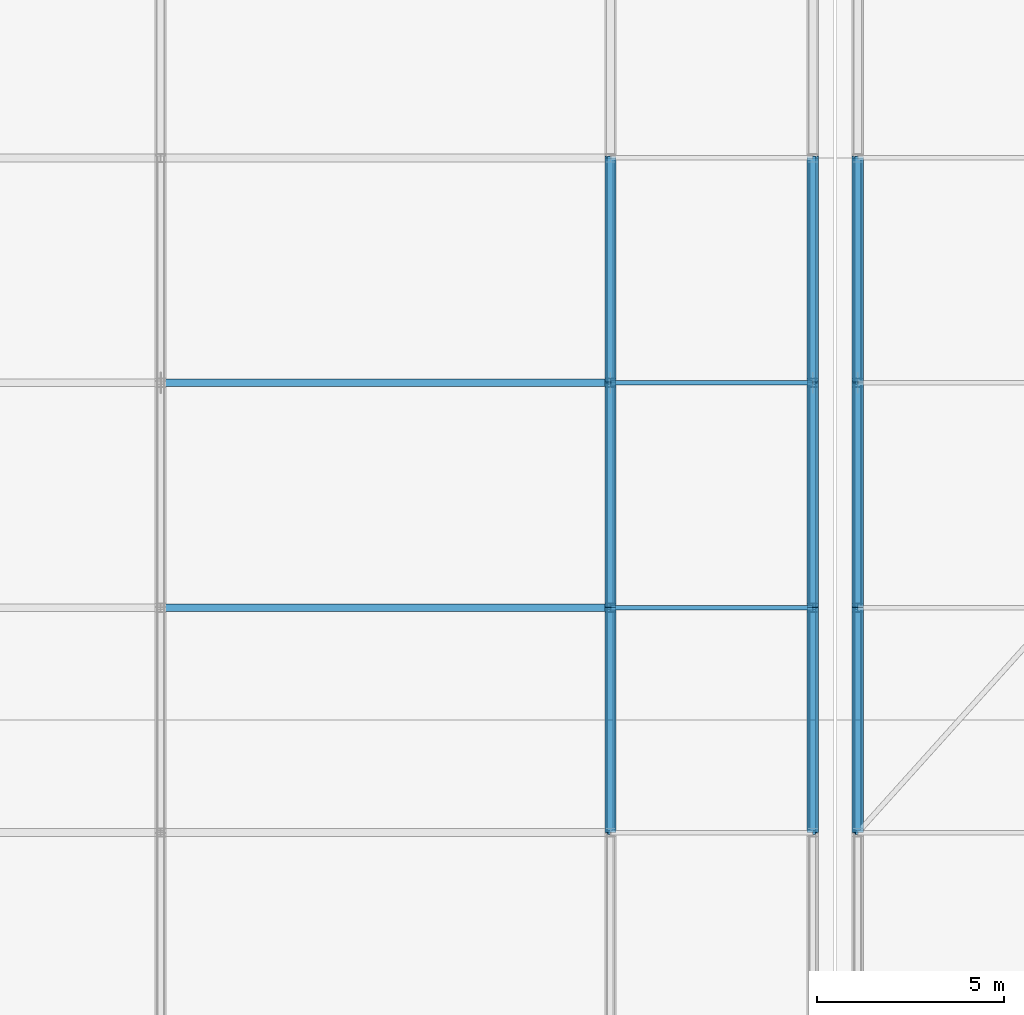
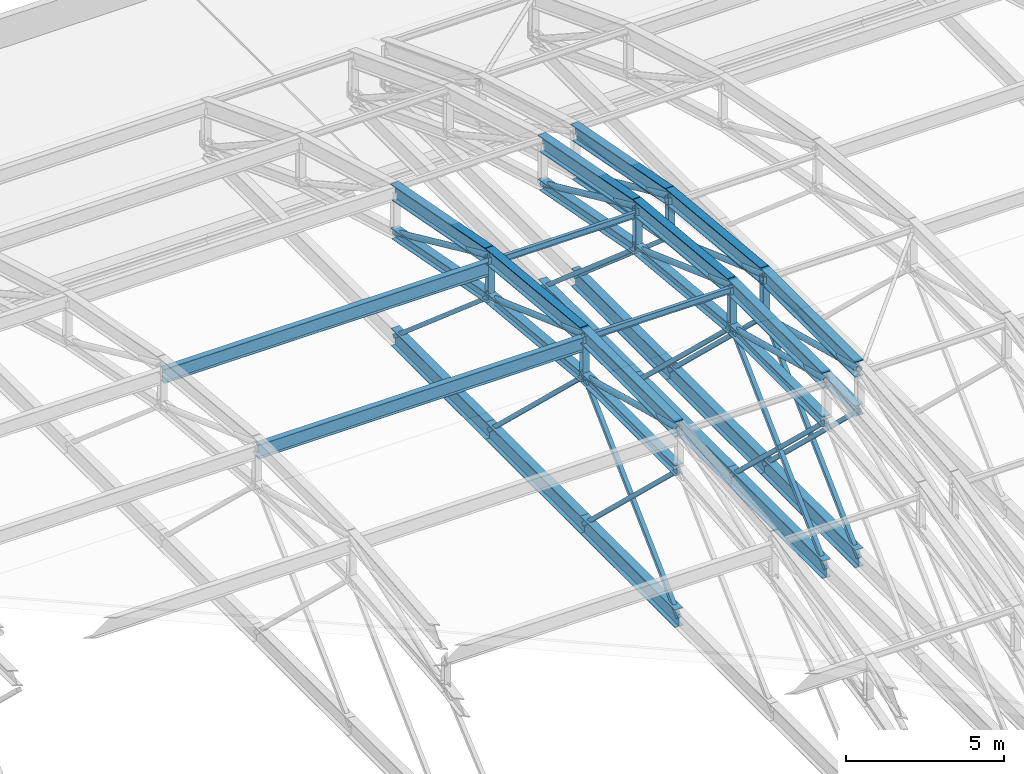
# One storey, part 89 of 204: 58 members.
"""IFC4 building model written with IfcOpenShell, lengths in metres."""

from ifc_helpers import new_model, si_unit, direction, frame, origin, origin_2d, place, context, subcontext, project, spatial, hollow_rectangle, hollow_circle, i_section, extrude, material, material_profile, profile_set, type_object, element, save


model = new_model("IFC4")

# Units and contexts
model_context = context("Model", 3, precision=1e-05, world=origin(), true_north=direction((0.0, 1.0)))
body_context = subcontext(model_context, "Body", "Model", "MODEL_VIEW")
ifc_project = project(units=[si_unit("LENGTHUNIT", "METRE"), si_unit("AREAUNIT", "SQUARE_METRE"), si_unit("VOLUMEUNIT", "CUBIC_METRE"), si_unit("PLANEANGLEUNIT", "RADIAN"), si_unit("MASSUNIT", "GRAM", prefix="KILO")], contexts=[model_context])

# Site, building, storey
site_placement = place(None, origin())
site = spatial("IfcSite", under=ifc_project, at=site_placement, CompositionType="ELEMENT")
building_placement = place(site_placement, origin())
building = spatial("IfcBuilding", under=site, at=building_placement, Name="Zilviju Railside Exhibition Hall", CompositionType="ELEMENT")
storey_placement = place(building_placement, frame((0.0, 0.0, 21.0)))
storey = spatial("IfcBuildingStorey", under=building, at=storey_placement, Name="RF", CompositionType="ELEMENT", Elevation=21.0)

# Members
ifc_material = material(Name="Steel S355J2", Category="steel")
ifc_material_profile_1 = material_profile(ifc_material, hollow_circle(Radius=0.109619140625, WallThickness=0.010009765625, at=origin_2d()), Name="CHS 219.1x10.0")
ifc_profile_set_1 = profile_set([ifc_material_profile_1], Name="Steel S355J2")
member_type_1 = type_object("IfcMemberType", Name="TR-BR-CHS219", PredefinedType="BRACE", material=ifc_profile_set_1)
member_1_placement = place(storey_placement, frame((120.0, 108.0, 3.728515625), z_axis=(0.0, 0.966231024199, -0.25767733287), x_axis=(-1.0, 0.0, 0.0)))
element("IfcMember", 1, at=member_1_placement, inside=storey, type_object=member_type_1, Name="V2 Parabolic Arch Web Diagonal X=120.0 P5", PredefinedType="BRACE", context=body_context, shape_type="SweptSolid", body=[
    extrude(hollow_circle(Radius=0.109619140625, WallThickness=0.010009765625, at=origin_2d()), origin(), (0.0, 0.0, 1.0), 6.209716796875),
])
member_2_placement = place(storey_placement, frame((120.0, 114.0, 3.728515625), z_axis=(0.0, 0.940243888255, -0.340501733621), x_axis=(-1.0, 0.0, 0.0)))
element("IfcMember", 2, at=member_2_placement, inside=storey, type_object=member_type_1, Name="V2 Parabolic Arch Web Diagonal X=120.0 P6", PredefinedType="BRACE", context=body_context, shape_type="SweptSolid", body=[
    extrude(hollow_circle(Radius=0.109619140625, WallThickness=0.010009765625, at=origin_2d()), origin(), (0.0, 0.0, 1.0), 6.38134765625),
])
member_3_placement = place(storey_placement, frame((120.0, 120.0, 3.155517578125), z_axis=(0.0, 0.909316915895, -0.416104249518), x_axis=(-1.0, 0.0, 0.0)))
element("IfcMember", 3, at=member_3_placement, inside=storey, type_object=member_type_1, Name="V2 Parabolic Arch Web Diagonal X=120.0 P7", PredefinedType="BRACE", context=body_context, shape_type="SweptSolid", body=[
    extrude(hollow_circle(Radius=0.109619140625, WallThickness=0.010009765625, at=origin_2d()), origin(), (0.0, 0.0, 1.0), 6.598388671875),
])
member_4_placement = place(storey_placement, frame((125.39990234375, 108.0, 3.728515625), z_axis=(0.0, 0.966231024199, -0.25767733287), x_axis=(-1.0, 0.0, 0.0)))
element("IfcMember", 4, at=member_4_placement, inside=storey, type_object=member_type_1, Name="V2 Parabolic Arch Web Diagonal X=125.4 P5", PredefinedType="BRACE", context=body_context, shape_type="SweptSolid", body=[
    extrude(hollow_circle(Radius=0.109619140625, WallThickness=0.010009765625, at=origin_2d()), origin(), (0.0, 0.0, 1.0), 6.209716796875),
])
member_5_placement = place(storey_placement, frame((125.39990234375, 114.0, 3.728515625), z_axis=(0.0, 0.940243888255, -0.340501733621), x_axis=(-1.0, 0.0, 0.0)))
element("IfcMember", 5, at=member_5_placement, inside=storey, type_object=member_type_1, Name="V2 Parabolic Arch Web Diagonal X=125.4 P6", PredefinedType="BRACE", context=body_context, shape_type="SweptSolid", body=[
    extrude(hollow_circle(Radius=0.109619140625, WallThickness=0.010009765625, at=origin_2d()), origin(), (0.0, 0.0, 1.0), 6.38134765625),
])
member_6_placement = place(storey_placement, frame((125.39990234375, 120.0, 3.155517578125), z_axis=(0.0, 0.909316915895, -0.416104249518), x_axis=(-1.0, 0.0, 0.0)))
element("IfcMember", 6, at=member_6_placement, inside=storey, type_object=member_type_1, Name="V2 Parabolic Arch Web Diagonal X=125.4 P7", PredefinedType="BRACE", context=body_context, shape_type="SweptSolid", body=[
    extrude(hollow_circle(Radius=0.109619140625, WallThickness=0.010009765625, at=origin_2d()), origin(), (0.0, 0.0, 1.0), 6.598388671875),
])
member_7_placement = place(storey_placement, frame((126.60009765625, 108.0, 3.728515625), z_axis=(0.0, 0.966231024199, -0.25767733287), x_axis=(-1.0, 0.0, 0.0)))
element("IfcMember", 7, at=member_7_placement, inside=storey, type_object=member_type_1, Name="V2 Parabolic Arch Web Diagonal X=126.6 P5", PredefinedType="BRACE", context=body_context, shape_type="SweptSolid", body=[
    extrude(hollow_circle(Radius=0.109619140625, WallThickness=0.010009765625, at=origin_2d()), origin(), (0.0, 0.0, 1.0), 6.209716796875),
])
member_8_placement = place(storey_placement, frame((126.60009765625, 114.0, 3.728515625), z_axis=(0.0, 0.940243888255, -0.340501733621), x_axis=(-1.0, 0.0, 0.0)))
element("IfcMember", 8, at=member_8_placement, inside=storey, type_object=member_type_1, Name="V2 Parabolic Arch Web Diagonal X=126.6 P6", PredefinedType="BRACE", context=body_context, shape_type="SweptSolid", body=[
    extrude(hollow_circle(Radius=0.109619140625, WallThickness=0.010009765625, at=origin_2d()), origin(), (0.0, 0.0, 1.0), 6.38134765625),
])
member_9_placement = place(storey_placement, frame((126.60009765625, 120.0, 3.155517578125), z_axis=(0.0, 0.909316915895, -0.416104249518), x_axis=(-1.0, 0.0, 0.0)))
element("IfcMember", 9, at=member_9_placement, inside=storey, type_object=member_type_1, Name="V2 Parabolic Arch Web Diagonal X=126.6 P7", PredefinedType="BRACE", context=body_context, shape_type="SweptSolid", body=[
    extrude(hollow_circle(Radius=0.109619140625, WallThickness=0.010009765625, at=origin_2d()), origin(), (0.0, 0.0, 1.0), 6.598388671875),
])
ifc_material_profile_2 = material_profile(ifc_material, i_section(OverallWidth=0.300048828125, OverallDepth=0.39990234375, WebThickness=0.013427734375, FlangeThickness=0.02392578125, at=origin_2d()), Name="HEB 400")
ifc_profile_set_2 = profile_set([ifc_material_profile_2], Name="Steel S355J2")
member_type_2 = type_object("IfcMemberType", Name="TR-CH-HEB400", PredefinedType="CHORD", material=ifc_profile_set_2)
member_10_placement = place(storey_placement, frame((120.0, 108.0, 2.12841796875), z_axis=(0.0, 1.0, 0.0), x_axis=(-1.0, 0.0, 0.0)))
element("IfcMember", 10, at=member_10_placement, inside=storey, type_object=member_type_2, Name="V2 Parabolic Arch Bottom Chord X=120.0 P5", PredefinedType="CHORD", context=body_context, shape_type="SweptSolid", body=[
    extrude(i_section(OverallWidth=0.300048828125, OverallDepth=0.39990234375, WebThickness=0.013427734375, FlangeThickness=0.02392578125, at=origin_2d()), origin(), (0.0, 0.0, 1.0), 6.0),
])
member_11_placement = place(storey_placement, frame((120.0, 114.0, 2.12841796875), z_axis=(0.0, 0.995474695123, -0.095027003367), x_axis=(-1.0, 0.0, 0.0)))
element("IfcMember", 11, at=member_11_placement, inside=storey, type_object=member_type_2, Name="V2 Parabolic Arch Bottom Chord X=120.0 P6", PredefinedType="CHORD", context=body_context, shape_type="SweptSolid", body=[
    extrude(i_section(OverallWidth=0.300048828125, OverallDepth=0.39990234375, WebThickness=0.013427734375, FlangeThickness=0.02392578125, at=origin_2d()), origin(), (0.0, 0.0, 1.0), 6.02734375),
])
member_12_placement = place(storey_placement, frame((120.0, 120.0, 1.5556640625), z_axis=(0.0, 0.98225135267, -0.187569400964), x_axis=(-1.0, 0.0, 0.0)))
element("IfcMember", 12, at=member_12_placement, inside=storey, type_object=member_type_2, Name="V2 Parabolic Arch Bottom Chord X=120.0 P7", PredefinedType="CHORD", context=body_context, shape_type="SweptSolid", body=[
    extrude(i_section(OverallWidth=0.300048828125, OverallDepth=0.39990234375, WebThickness=0.013427734375, FlangeThickness=0.02392578125, at=origin_2d()), origin(), (0.0, 0.0, 1.0), 6.1083984375),
])
member_13_placement = place(storey_placement, frame((125.39990234375, 108.0, 2.12841796875), z_axis=(0.0, 1.0, 0.0), x_axis=(-1.0, 0.0, 0.0)))
element("IfcMember", 13, at=member_13_placement, inside=storey, type_object=member_type_2, Name="V2 Parabolic Arch Bottom Chord X=125.4 P5", PredefinedType="CHORD", context=body_context, shape_type="SweptSolid", body=[
    extrude(i_section(OverallWidth=0.300048828125, OverallDepth=0.39990234375, WebThickness=0.013427734375, FlangeThickness=0.02392578125, at=origin_2d()), origin(), (0.0, 0.0, 1.0), 6.0),
])
member_14_placement = place(storey_placement, frame((125.39990234375, 114.0, 2.12841796875), z_axis=(0.0, 0.995474695123, -0.095027003367), x_axis=(-1.0, 0.0, 0.0)))
element("IfcMember", 14, at=member_14_placement, inside=storey, type_object=member_type_2, Name="V2 Parabolic Arch Bottom Chord X=125.4 P6", PredefinedType="CHORD", context=body_context, shape_type="SweptSolid", body=[
    extrude(i_section(OverallWidth=0.300048828125, OverallDepth=0.39990234375, WebThickness=0.013427734375, FlangeThickness=0.02392578125, at=origin_2d()), origin(), (0.0, 0.0, 1.0), 6.02734375),
])
member_15_placement = place(storey_placement, frame((125.39990234375, 120.0, 1.5556640625), z_axis=(0.0, 0.98225135267, -0.187569400964), x_axis=(-1.0, 0.0, 0.0)))
element("IfcMember", 15, at=member_15_placement, inside=storey, type_object=member_type_2, Name="V2 Parabolic Arch Bottom Chord X=125.4 P7", PredefinedType="CHORD", context=body_context, shape_type="SweptSolid", body=[
    extrude(i_section(OverallWidth=0.300048828125, OverallDepth=0.39990234375, WebThickness=0.013427734375, FlangeThickness=0.02392578125, at=origin_2d()), origin(), (0.0, 0.0, 1.0), 6.1083984375),
])
member_16_placement = place(storey_placement, frame((126.60009765625, 108.0, 2.12841796875), z_axis=(0.0, 1.0, 0.0), x_axis=(-1.0, 0.0, 0.0)))
element("IfcMember", 16, at=member_16_placement, inside=storey, type_object=member_type_2, Name="V2 Parabolic Arch Bottom Chord X=126.6 P5", PredefinedType="CHORD", context=body_context, shape_type="SweptSolid", body=[
    extrude(i_section(OverallWidth=0.300048828125, OverallDepth=0.39990234375, WebThickness=0.013427734375, FlangeThickness=0.02392578125, at=origin_2d()), origin(), (0.0, 0.0, 1.0), 6.0),
])
member_17_placement = place(storey_placement, frame((126.60009765625, 114.0, 2.12841796875), z_axis=(0.0, 0.995474695123, -0.095027003367), x_axis=(-1.0, 0.0, 0.0)))
element("IfcMember", 17, at=member_17_placement, inside=storey, type_object=member_type_2, Name="V2 Parabolic Arch Bottom Chord X=126.6 P6", PredefinedType="CHORD", context=body_context, shape_type="SweptSolid", body=[
    extrude(i_section(OverallWidth=0.300048828125, OverallDepth=0.39990234375, WebThickness=0.013427734375, FlangeThickness=0.02392578125, at=origin_2d()), origin(), (0.0, 0.0, 1.0), 6.02734375),
])
member_18_placement = place(storey_placement, frame((126.60009765625, 120.0, 1.5556640625), z_axis=(0.0, 0.98225135267, -0.187569400964), x_axis=(-1.0, 0.0, 0.0)))
element("IfcMember", 18, at=member_18_placement, inside=storey, type_object=member_type_2, Name="V2 Parabolic Arch Bottom Chord X=126.6 P7", PredefinedType="CHORD", context=body_context, shape_type="SweptSolid", body=[
    extrude(i_section(OverallWidth=0.300048828125, OverallDepth=0.39990234375, WebThickness=0.013427734375, FlangeThickness=0.02392578125, at=origin_2d()), origin(), (0.0, 0.0, 1.0), 6.1083984375),
])
ifc_material_profile_3 = material_profile(ifc_material, i_section(OverallWidth=0.300048828125, OverallDepth=0.60009765625, WebThickness=0.015380859375, FlangeThickness=0.030029296875, at=origin_2d()), Name="HEB 600")
ifc_profile_set_3 = profile_set([ifc_material_profile_3], Name="Steel S355J2")
member_type_3 = type_object("IfcMemberType", Name="TR-CH-HEB600", PredefinedType="CHORD", material=ifc_profile_set_3)
member_19_placement = place(storey_placement, frame((120.0, 108.0, 3.728515625), z_axis=(0.0, 1.0, 0.0), x_axis=(-1.0, 0.0, 0.0)))
element("IfcMember", 19, at=member_19_placement, inside=storey, type_object=member_type_3, Name="V2 Parabolic Arch Top Chord X=120.0 P5", PredefinedType="CHORD", context=body_context, shape_type="SweptSolid", body=[
    extrude(i_section(OverallWidth=0.300048828125, OverallDepth=0.60009765625, WebThickness=0.015380859375, FlangeThickness=0.030029296875, at=origin_2d()), origin(), (0.0, 0.0, 1.0), 6.0),
])
member_20_placement = place(storey_placement, frame((120.0, 114.0, 3.728515625), z_axis=(0.0, 0.995470862587, -0.095067143331), x_axis=(-1.0, 0.0, 0.0)))
element("IfcMember", 20, at=member_20_placement, inside=storey, type_object=member_type_3, Name="V2 Parabolic Arch Top Chord X=120.0 P6", PredefinedType="CHORD", context=body_context, shape_type="SweptSolid", body=[
    extrude(i_section(OverallWidth=0.300048828125, OverallDepth=0.60009765625, WebThickness=0.015380859375, FlangeThickness=0.030029296875, at=origin_2d()), origin(), (0.0, 0.0, 1.0), 6.02734375),
])
member_21_placement = place(storey_placement, frame((120.0, 120.0, 3.155517578125), z_axis=(0.0, 0.98225135267, -0.187569400964), x_axis=(-1.0, 0.0, 0.0)))
element("IfcMember", 21, at=member_21_placement, inside=storey, type_object=member_type_3, Name="V2 Parabolic Arch Top Chord X=120.0 P7", PredefinedType="CHORD", context=body_context, shape_type="SweptSolid", body=[
    extrude(i_section(OverallWidth=0.300048828125, OverallDepth=0.60009765625, WebThickness=0.015380859375, FlangeThickness=0.030029296875, at=origin_2d()), origin(), (0.0, 0.0, 1.0), 6.1083984375),
])
member_22_placement = place(storey_placement, frame((125.39990234375, 108.0, 3.728515625), z_axis=(0.0, 1.0, 0.0), x_axis=(-1.0, 0.0, 0.0)))
element("IfcMember", 22, at=member_22_placement, inside=storey, type_object=member_type_3, Name="V2 Parabolic Arch Top Chord X=125.4 P5", PredefinedType="CHORD", context=body_context, shape_type="SweptSolid", body=[
    extrude(i_section(OverallWidth=0.300048828125, OverallDepth=0.60009765625, WebThickness=0.015380859375, FlangeThickness=0.030029296875, at=origin_2d()), origin(), (0.0, 0.0, 1.0), 6.0),
])
member_23_placement = place(storey_placement, frame((125.39990234375, 114.0, 3.728515625), z_axis=(0.0, 0.995470862587, -0.095067143331), x_axis=(-1.0, 0.0, 0.0)))
element("IfcMember", 23, at=member_23_placement, inside=storey, type_object=member_type_3, Name="V2 Parabolic Arch Top Chord X=125.4 P6", PredefinedType="CHORD", context=body_context, shape_type="SweptSolid", body=[
    extrude(i_section(OverallWidth=0.300048828125, OverallDepth=0.60009765625, WebThickness=0.015380859375, FlangeThickness=0.030029296875, at=origin_2d()), origin(), (0.0, 0.0, 1.0), 6.02734375),
])
member_24_placement = place(storey_placement, frame((125.39990234375, 120.0, 3.155517578125), z_axis=(0.0, 0.98225135267, -0.187569400964), x_axis=(-1.0, 0.0, 0.0)))
element("IfcMember", 24, at=member_24_placement, inside=storey, type_object=member_type_3, Name="V2 Parabolic Arch Top Chord X=125.4 P7", PredefinedType="CHORD", context=body_context, shape_type="SweptSolid", body=[
    extrude(i_section(OverallWidth=0.300048828125, OverallDepth=0.60009765625, WebThickness=0.015380859375, FlangeThickness=0.030029296875, at=origin_2d()), origin(), (0.0, 0.0, 1.0), 6.1083984375),
])
member_25_placement = place(storey_placement, frame((126.60009765625, 108.0, 3.728515625), z_axis=(0.0, 1.0, 0.0), x_axis=(-1.0, 0.0, 0.0)))
element("IfcMember", 25, at=member_25_placement, inside=storey, type_object=member_type_3, Name="V2 Parabolic Arch Top Chord X=126.6 P5", PredefinedType="CHORD", context=body_context, shape_type="SweptSolid", body=[
    extrude(i_section(OverallWidth=0.300048828125, OverallDepth=0.60009765625, WebThickness=0.015380859375, FlangeThickness=0.030029296875, at=origin_2d()), origin(), (0.0, 0.0, 1.0), 6.0),
])
member_26_placement = place(storey_placement, frame((126.60009765625, 114.0, 3.728515625), z_axis=(0.0, 0.995470862587, -0.095067143331), x_axis=(-1.0, 0.0, 0.0)))
element("IfcMember", 26, at=member_26_placement, inside=storey, type_object=member_type_3, Name="V2 Parabolic Arch Top Chord X=126.6 P6", PredefinedType="CHORD", context=body_context, shape_type="SweptSolid", body=[
    extrude(i_section(OverallWidth=0.300048828125, OverallDepth=0.60009765625, WebThickness=0.015380859375, FlangeThickness=0.030029296875, at=origin_2d()), origin(), (0.0, 0.0, 1.0), 6.02734375),
])
member_27_placement = place(storey_placement, frame((126.60009765625, 120.0, 3.155517578125), z_axis=(0.0, 0.98225135267, -0.187569400964), x_axis=(-1.0, 0.0, 0.0)))
element("IfcMember", 27, at=member_27_placement, inside=storey, type_object=member_type_3, Name="V2 Parabolic Arch Top Chord X=126.6 P7", PredefinedType="CHORD", context=body_context, shape_type="SweptSolid", body=[
    extrude(i_section(OverallWidth=0.300048828125, OverallDepth=0.60009765625, WebThickness=0.015380859375, FlangeThickness=0.030029296875, at=origin_2d()), origin(), (0.0, 0.0, 1.0), 6.1083984375),
])
ifc_material_profile_4 = material_profile(ifc_material, i_section(OverallWidth=0.239990234375, OverallDepth=0.22998046875, WebThickness=0.007568359375, FlangeThickness=0.011962890625, at=origin_2d()), Name="HEA 240")
ifc_profile_set_4 = profile_set([ifc_material_profile_4], Name="Steel S355J2")
member_type_4 = type_object("IfcMemberType", Name="TR-POST-HEA240", PredefinedType="POST", material=ifc_profile_set_4)
member_28_placement = place(storey_placement, frame((120.0, 114.0, 2.12841796875), z_axis=(0.0, 0.0, 1.0), x_axis=(1.0, 0.0, 0.0)))
element("IfcMember", 28, at=member_28_placement, inside=storey, type_object=member_type_4, Name="V2 Parabolic Arch Web Post X=120.0 N5", PredefinedType="POST", context=body_context, shape_type="SweptSolid", body=[
    extrude(i_section(OverallWidth=0.239990234375, OverallDepth=0.22998046875, WebThickness=0.007568359375, FlangeThickness=0.011962890625, at=origin_2d()), origin(), (0.0, 0.0, 1.0), 1.60009765625),
])
member_29_placement = place(storey_placement, frame((120.0, 120.0, 1.5556640625), z_axis=(0.0, 0.0, 1.0), x_axis=(1.0, 0.0, 0.0)))
element("IfcMember", 29, at=member_29_placement, inside=storey, type_object=member_type_4, Name="V2 Parabolic Arch Web Post X=120.0 N6", PredefinedType="POST", context=body_context, shape_type="SweptSolid", body=[
    extrude(i_section(OverallWidth=0.239990234375, OverallDepth=0.22998046875, WebThickness=0.007568359375, FlangeThickness=0.011962890625, at=origin_2d()), origin(), (0.0, 0.0, 1.0), 1.599853515625),
])
member_30_placement = place(storey_placement, frame((125.39990234375, 114.0, 2.12841796875), z_axis=(0.0, 0.0, 1.0), x_axis=(1.0, 0.0, 0.0)))
element("IfcMember", 30, at=member_30_placement, inside=storey, type_object=member_type_4, Name="V2 Parabolic Arch Web Post X=125.4 N5", PredefinedType="POST", context=body_context, shape_type="SweptSolid", body=[
    extrude(i_section(OverallWidth=0.239990234375, OverallDepth=0.22998046875, WebThickness=0.007568359375, FlangeThickness=0.011962890625, at=origin_2d()), origin(), (0.0, 0.0, 1.0), 1.60009765625),
])
member_31_placement = place(storey_placement, frame((125.39990234375, 120.0, 1.5556640625), z_axis=(0.0, 0.0, 1.0), x_axis=(1.0, 0.0, 0.0)))
element("IfcMember", 31, at=member_31_placement, inside=storey, type_object=member_type_4, Name="V2 Parabolic Arch Web Post X=125.4 N6", PredefinedType="POST", context=body_context, shape_type="SweptSolid", body=[
    extrude(i_section(OverallWidth=0.239990234375, OverallDepth=0.22998046875, WebThickness=0.007568359375, FlangeThickness=0.011962890625, at=origin_2d()), origin(), (0.0, 0.0, 1.0), 1.599853515625),
])
member_32_placement = place(storey_placement, frame((126.60009765625, 114.0, 2.12841796875), z_axis=(0.0, 0.0, 1.0), x_axis=(1.0, 0.0, 0.0)))
element("IfcMember", 32, at=member_32_placement, inside=storey, type_object=member_type_4, Name="V2 Parabolic Arch Web Post X=126.6 N5", PredefinedType="POST", context=body_context, shape_type="SweptSolid", body=[
    extrude(i_section(OverallWidth=0.239990234375, OverallDepth=0.22998046875, WebThickness=0.007568359375, FlangeThickness=0.011962890625, at=origin_2d()), origin(), (0.0, 0.0, 1.0), 1.60009765625),
])
member_33_placement = place(storey_placement, frame((126.60009765625, 120.0, 1.5556640625), z_axis=(0.0, 0.0, 1.0), x_axis=(1.0, 0.0, 0.0)))
element("IfcMember", 33, at=member_33_placement, inside=storey, type_object=member_type_4, Name="V2 Parabolic Arch Web Post X=126.6 N6", PredefinedType="POST", context=body_context, shape_type="SweptSolid", body=[
    extrude(i_section(OverallWidth=0.239990234375, OverallDepth=0.22998046875, WebThickness=0.007568359375, FlangeThickness=0.011962890625, at=origin_2d()), origin(), (0.0, 0.0, 1.0), 1.599853515625),
])
ifc_material_profile_5 = material_profile(ifc_material, hollow_rectangle(XDim=0.14990234375, YDim=0.14990234375, WallThickness=0.008056640625, at=origin_2d()), Name="SHS 150x150x8.0")
ifc_profile_set_5 = profile_set([ifc_material_profile_5], Name="Steel S355J2")
member_type_5 = type_object("IfcMemberType", Name="TR-POST-SHS150", PredefinedType="POST", material=ifc_profile_set_5)
for number, where, z_axis, x_axis, name in (
    (34, (120.0, 108.0, -3.60009765625), (0.0, 0.723280707221, 0.690554138763), (-1.0, 0.0, 0.0), "V2 Arch Tie Hanger X=120.0 N4"),
    (35, (120.0, 114.0, -3.60009765625), (0.0, -0.723280707221, 0.690554138763), (1.0, 0.0, 0.0), "V2 Arch Tie Hanger X=120.0 N5"),
    (36, (120.0, 120.0, -3.60009765625), (0.0, -0.723280707221, 0.690554138763), (1.0, 0.0, 0.0), "V2 Arch Tie Hanger X=120.0 N6"),
):
    element("IfcMember", number, at=place(storey_placement, frame(where, z_axis=z_axis, x_axis=x_axis)), inside=storey, type_object=member_type_5, Name=name, PredefinedType="POST", context=body_context, shape_type="SweptSolid", body=[
        extrude(hollow_rectangle(XDim=0.14990234375, YDim=0.14990234375, WallThickness=0.008056640625, at=origin_2d()), origin(), (0.0, 0.0, 1.0), 8.295654296875),
    ])
member_34_placement = place(storey_placement, frame((120.0, 126.0, -3.60009765625), z_axis=(0.0, -0.758449992634, 0.651731239602), x_axis=(1.0, 0.0, 0.0)))
element("IfcMember", 37, at=member_34_placement, inside=storey, type_object=member_type_5, Name="V2 Arch Tie Hanger X=120.0 N7", PredefinedType="POST", context=body_context, shape_type="SweptSolid", body=[
    extrude(hollow_rectangle(XDim=0.14990234375, YDim=0.14990234375, WallThickness=0.008056640625, at=origin_2d()), origin(), (0.0, 0.0, 1.0), 7.910888671875),
])
for number, where, z_axis, x_axis, name in (
    (38, (125.39990234375, 108.0, -3.60009765625), (0.0, 0.723280707221, 0.690554138763), (-1.0, 0.0, 0.0), "V2 Arch Tie Hanger X=125.4 N4"),
    (39, (125.39990234375, 114.0, -3.60009765625), (0.0, -0.723280707221, 0.690554138763), (1.0, 0.0, 0.0), "V2 Arch Tie Hanger X=125.4 N5"),
    (40, (125.39990234375, 120.0, -3.60009765625), (0.0, -0.723280707221, 0.690554138763), (1.0, 0.0, 0.0), "V2 Arch Tie Hanger X=125.4 N6"),
):
    element("IfcMember", number, at=place(storey_placement, frame(where, z_axis=z_axis, x_axis=x_axis)), inside=storey, type_object=member_type_5, Name=name, PredefinedType="POST", context=body_context, shape_type="SweptSolid", body=[
        extrude(hollow_rectangle(XDim=0.14990234375, YDim=0.14990234375, WallThickness=0.008056640625, at=origin_2d()), origin(), (0.0, 0.0, 1.0), 8.295654296875),
    ])
member_35_placement = place(storey_placement, frame((125.39990234375, 126.0, -3.60009765625), z_axis=(0.0, -0.758449992634, 0.651731239602), x_axis=(1.0, 0.0, 0.0)))
element("IfcMember", 41, at=member_35_placement, inside=storey, type_object=member_type_5, Name="V2 Arch Tie Hanger X=125.4 N7", PredefinedType="POST", context=body_context, shape_type="SweptSolid", body=[
    extrude(hollow_rectangle(XDim=0.14990234375, YDim=0.14990234375, WallThickness=0.008056640625, at=origin_2d()), origin(), (0.0, 0.0, 1.0), 7.910888671875),
])
for number, where, z_axis, x_axis, name in (
    (42, (126.60009765625, 108.0, -3.60009765625), (0.0, 0.723280707221, 0.690554138763), (-1.0, 0.0, 0.0), "V2 Arch Tie Hanger X=126.6 N4"),
    (43, (126.60009765625, 114.0, -3.60009765625), (0.0, -0.723280707221, 0.690554138763), (1.0, 0.0, 0.0), "V2 Arch Tie Hanger X=126.6 N5"),
    (44, (126.60009765625, 120.0, -3.60009765625), (0.0, -0.723280707221, 0.690554138763), (1.0, 0.0, 0.0), "V2 Arch Tie Hanger X=126.6 N6"),
):
    element("IfcMember", number, at=place(storey_placement, frame(where, z_axis=z_axis, x_axis=x_axis)), inside=storey, type_object=member_type_5, Name=name, PredefinedType="POST", context=body_context, shape_type="SweptSolid", body=[
        extrude(hollow_rectangle(XDim=0.14990234375, YDim=0.14990234375, WallThickness=0.008056640625, at=origin_2d()), origin(), (0.0, 0.0, 1.0), 8.295654296875),
    ])
member_36_placement = place(storey_placement, frame((126.60009765625, 126.0, -3.60009765625), z_axis=(0.0, -0.758449992634, 0.651731239602), x_axis=(1.0, 0.0, 0.0)))
element("IfcMember", 45, at=member_36_placement, inside=storey, type_object=member_type_5, Name="V2 Arch Tie Hanger X=126.6 N7", PredefinedType="POST", context=body_context, shape_type="SweptSolid", body=[
    extrude(hollow_rectangle(XDim=0.14990234375, YDim=0.14990234375, WallThickness=0.008056640625, at=origin_2d()), origin(), (0.0, 0.0, 1.0), 7.910888671875),
])
ifc_material_profile_6 = material_profile(ifc_material, i_section(OverallWidth=0.1201171875, OverallDepth=0.239990234375, WebThickness=0.006103515625, FlangeThickness=0.009765625, at=origin_2d()), Name="IPE 240")
ifc_profile_set_6 = profile_set([ifc_material_profile_6], Name="Steel S355J2")
member_type_6 = type_object("IfcMemberType", Name="TR-PUR-IPE240", PredefinedType="PURLIN", material=ifc_profile_set_6)
for number, where, z_axis, x_axis, name in (
    (46, (120.0, 114.0, 3.593017578125), (1.0, 0.0, 0.0), (0.0, 1.0, 0.0), "V2 Barrel Vault Roof Purlin Y=114.0 (120.0..125.4)"),
    (47, (120.0, 120.0, 2.877197265625), (1.0, 0.0, 0.0), (0.0, 1.0, 0.0), "V2 Barrel Vault Roof Purlin Y=120.0 (120.0..125.4)"),
):
    element("IfcMember", number, at=place(storey_placement, frame(where, z_axis=z_axis, x_axis=x_axis)), inside=storey, type_object=member_type_6, Name=name, PredefinedType="PURLIN", context=body_context, shape_type="SweptSolid", body=[
        extrude(i_section(OverallWidth=0.1201171875, OverallDepth=0.239990234375, WebThickness=0.006103515625, FlangeThickness=0.009765625, at=origin_2d()), origin(), (0.0, 0.0, 1.0), 5.39990234375),
    ])
ifc_material_profile_7 = material_profile(ifc_material, i_section(OverallWidth=0.2099609375, OverallDepth=0.550048828125, WebThickness=0.010986328125, FlangeThickness=0.01708984375, at=origin_2d()), Name="IPE 550")
ifc_profile_set_7 = profile_set([ifc_material_profile_7], Name="Steel S355J2")
member_type_7 = type_object("IfcMemberType", Name="TR-PUR-IPE550", PredefinedType="PURLIN", material=ifc_profile_set_7)
for number, where, z_axis, x_axis, name in (
    (48, (108.0, 114.0, 3.4326171875), (1.0, 0.0, 0.0), (0.0, 1.0, 0.0), "V2 Barrel Vault Roof Purlin Y=114.0 (108.0..120.0)"),
    (49, (108.0, 120.0, 2.716796875), (1.0, 0.0, 0.0), (0.0, 1.0, 0.0), "V2 Barrel Vault Roof Purlin Y=120.0 (108.0..120.0)"),
):
    element("IfcMember", number, at=place(storey_placement, frame(where, z_axis=z_axis, x_axis=x_axis)), inside=storey, type_object=member_type_7, Name=name, PredefinedType="PURLIN", context=body_context, shape_type="SweptSolid", body=[
        extrude(i_section(OverallWidth=0.2099609375, OverallDepth=0.550048828125, WebThickness=0.010986328125, FlangeThickness=0.01708984375, at=origin_2d()), origin(), (0.0, 0.0, 1.0), 12.0),
    ])
ifc_material_profile_8 = material_profile(ifc_material, i_section(OverallWidth=0.300048828125, OverallDepth=0.699951171875, WebThickness=0.01708984375, FlangeThickness=0.031982421875, at=origin_2d()), Name="HEB 700")
ifc_profile_set_8 = profile_set([ifc_material_profile_8], Name="Steel S355J2")
member_type_8 = type_object("IfcMemberType", Name="TR-TIE-HEB700", PredefinedType="CHORD", material=ifc_profile_set_8)
for number, where, z_axis, x_axis, name in (
    (50, (120.0, 108.0, -3.60009765625), (0.0, 1.0, 0.0), (-1.0, 0.0, 0.0), "V2 Arch Tie Member X=120.0"),
    (51, (120.0, 114.0, -3.60009765625), (0.0, 1.0, 0.0), (-1.0, 0.0, 0.0), "V2 Arch Tie Member X=120.0"),
    (52, (120.0, 120.0, -3.60009765625), (0.0, 1.0, 0.0), (-1.0, 0.0, 0.0), "V2 Arch Tie Member X=120.0"),
    (53, (125.39990234375, 108.0, -3.60009765625), (0.0, 1.0, 0.0), (-1.0, 0.0, 0.0), "V2 Arch Tie Member X=125.4"),
    (54, (125.39990234375, 114.0, -3.60009765625), (0.0, 1.0, 0.0), (-1.0, 0.0, 0.0), "V2 Arch Tie Member X=125.4"),
    (55, (125.39990234375, 120.0, -3.60009765625), (0.0, 1.0, 0.0), (-1.0, 0.0, 0.0), "V2 Arch Tie Member X=125.4"),
    (56, (126.60009765625, 108.0, -3.60009765625), (0.0, 1.0, 0.0), (-1.0, 0.0, 0.0), "V2 Arch Tie Member X=126.6"),
    (57, (126.60009765625, 114.0, -3.60009765625), (0.0, 1.0, 0.0), (-1.0, 0.0, 0.0), "V2 Arch Tie Member X=126.6"),
    (58, (126.60009765625, 120.0, -3.60009765625), (0.0, 1.0, 0.0), (-1.0, 0.0, 0.0), "V2 Arch Tie Member X=126.6"),
):
    element("IfcMember", number, at=place(storey_placement, frame(where, z_axis=z_axis, x_axis=x_axis)), inside=storey, type_object=member_type_8, Name=name, PredefinedType="CHORD", context=body_context, shape_type="SweptSolid", body=[
        extrude(i_section(OverallWidth=0.300048828125, OverallDepth=0.699951171875, WebThickness=0.01708984375, FlangeThickness=0.031982421875, at=origin_2d()), origin(), (0.0, 0.0, 1.0), 6.0),
    ])

save(model, "model.ifc")
